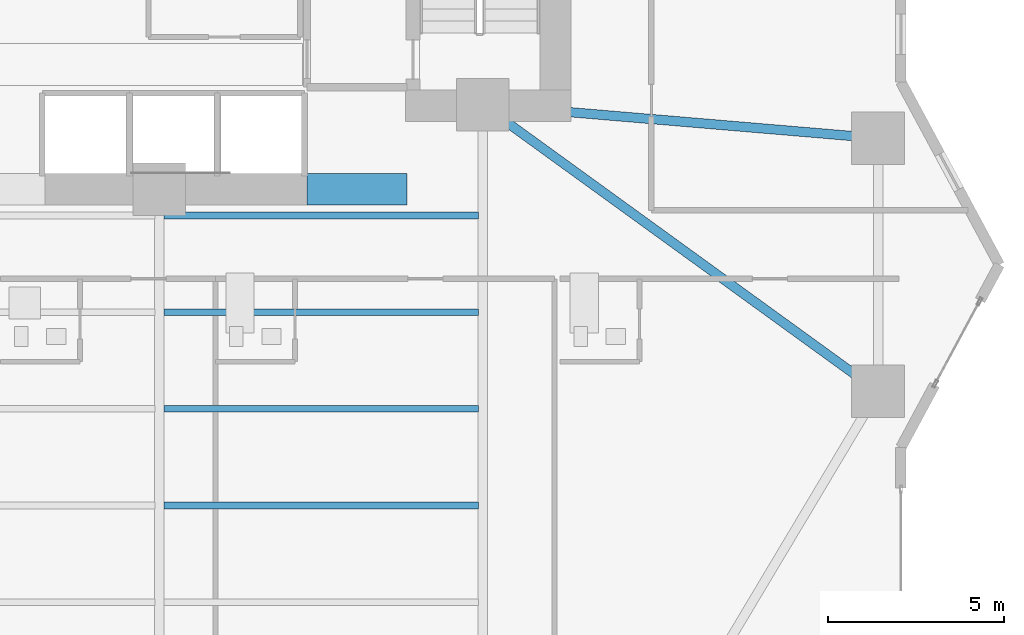
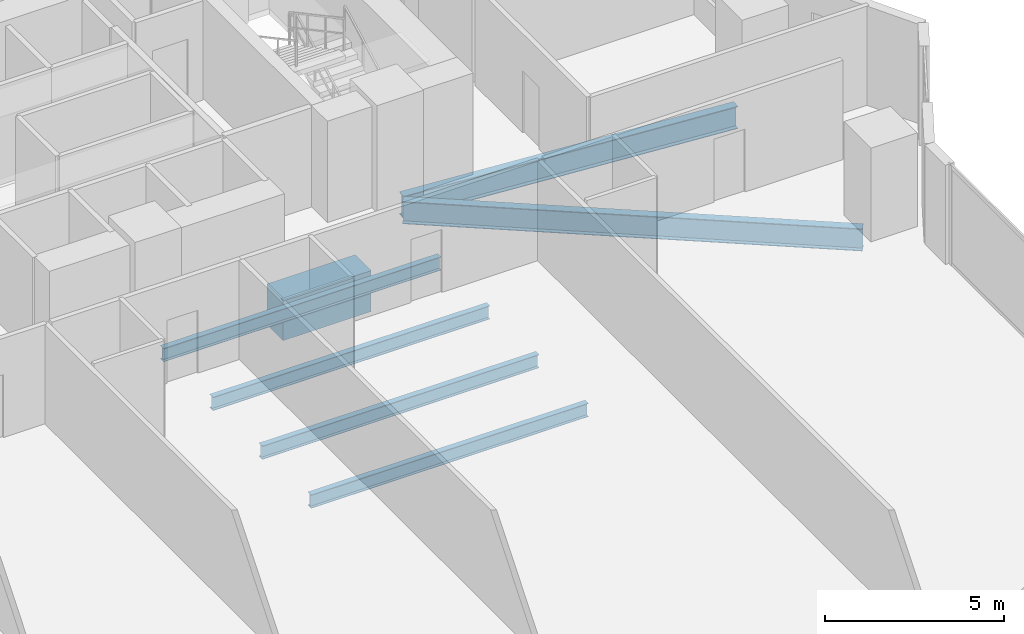
# One storey, part 11 of 30: 7 beams.
"""IFC4 building model written with IfcOpenShell, lengths in metres."""

from ifc_helpers import new_model, si_unit, direction, frame, origin, origin_2d, place, context, subcontext, project, spatial, rectangle, i_section, extrude, material, material_profile, profile_set, type_object, element, save


model = new_model("IFC4")

# Units and contexts
model_context = context("Model", 3, precision=1e-05, world=origin(), true_north=direction((0.0, 1.0)))
body_context = subcontext(model_context, "Body", "Model", "MODEL_VIEW")
ifc_project = project(units=[si_unit("LENGTHUNIT", "METRE"), si_unit("AREAUNIT", "SQUARE_METRE"), si_unit("VOLUMEUNIT", "CUBIC_METRE"), si_unit("PLANEANGLEUNIT", "RADIAN"), si_unit("MASSUNIT", "GRAM", prefix="KILO")], contexts=[model_context])

# Site, building, storey
site_placement = place(None, origin())
site = spatial("IfcSite", under=ifc_project, at=site_placement, CompositionType="ELEMENT")
building_placement = place(site_placement, origin())
building = spatial("IfcBuilding", under=site, at=building_placement, Name="Zuhayl Quay Hotel", CompositionType="ELEMENT")
storey_placement = place(building_placement, frame((0.0, 0.0, 86.0)))
storey = spatial("IfcBuildingStorey", under=building, at=storey_placement, Name="L21", CompositionType="ELEMENT", Elevation=86.0)

# Beams
ifc_material_1 = material(Name="Steel ASTM A992 Grade 50", Category="steel")
ifc_material_profile_1 = material_profile(ifc_material_1, i_section(OverallWidth=0.26708984375, OverallDepth=0.761962890625, WebThickness=0.014404296875, FlangeThickness=0.021484375, at=origin_2d()), Name="W30X116")
ifc_profile_set_1 = profile_set([ifc_material_profile_1], Name="Steel ASTM A992 Grade 50")
beam_type_1 = type_object("IfcBeamType", Name="BM_B1_W30X116", PredefinedType="BEAM", material=ifc_profile_set_1)
beam_1_placement = place(storey_placement, frame((14.164306640625, 4.285888671875, -0.60107421875), z_axis=(0.809830244688, -0.586664277751, 0.0), x_axis=(0.586664277751, 0.809830244688, 0.0)))
element("IfcBeam", 1, at=beam_1_placement, inside=storey, type_object=beam_type_1, Name="L21 Floor Beam FG_E_L21_1", PredefinedType="BEAM", context=body_context, shape_type="SweptSolid", body=[
    extrude(i_section(OverallWidth=0.26708984375, OverallDepth=0.761962890625, WebThickness=0.014404296875, FlangeThickness=0.021484375, at=origin_2d()), origin(), (0.0, 0.0, 1.0), 12.94189453125),
])
beam_2_placement = place(storey_placement, frame((14.248291015625, 4.51220703125, -0.60107421875), z_axis=(0.996453145398, -0.084149444594, 0.0), x_axis=(0.084149444594, 0.996453145398, 0.0)))
element("IfcBeam", 2, at=beam_2_placement, inside=storey, type_object=beam_type_1, Name="L21 Floor Beam FG_E_L21_2", PredefinedType="BEAM", context=body_context, shape_type="SweptSolid", body=[
    extrude(i_section(OverallWidth=0.26708984375, OverallDepth=0.761962890625, WebThickness=0.014404296875, FlangeThickness=0.021484375, at=origin_2d()), origin(), (0.0, 0.0, 1.0), 10.340087890625),
])
ifc_material_2 = material(Name="Concrete C60/75", Category="concrete")
ifc_material_profile_2 = material_profile(ifc_material_2, rectangle(XDim=0.89990234375, YDim=1.39990234375, at=origin_2d()), Name="RC900X1400")
ifc_profile_set_2 = profile_set([ifc_material_profile_2], Name="Concrete C60/75")
beam_type_2 = type_object("IfcBeamType", Name="BM_CB1_RC900", PredefinedType="T_BEAM", material=ifc_profile_set_2)
beam_3_placement = place(storey_placement, frame((8.800048828125, 2.14990234375, -0.919921875), z_axis=(1.0, 0.0, 0.0), x_axis=(0.0, 1.0, 0.0)))
element("IfcBeam", 3, at=beam_3_placement, inside=storey, type_object=beam_type_2, Name="L21 Core Coupling Beam SE", PredefinedType="T_BEAM", context=body_context, shape_type="SweptSolid", body=[
    extrude(rectangle(XDim=0.89990234375, YDim=1.39990234375, at=origin_2d()), origin(), (0.0, 0.0, 1.0), 2.849853515625),
])
ifc_material_profile_3 = material_profile(ifc_material_1, i_section(OverallWidth=0.18994140625, OverallDepth=0.45703125, WebThickness=0.009033203125, FlangeThickness=0.014404296875, at=origin_2d()), Name="W18X50")
ifc_profile_set_3 = profile_set([ifc_material_profile_3], Name="Steel ASTM A992 Grade 50")
beam_type_3 = type_object("IfcBeamType", Name="BM_J2_W18X50", PredefinedType="JOIST", material=ifc_profile_set_3)
for number, where, z_axis, x_axis, name in (
    (4, (4.7255859375, -6.85009765625, -0.448486328125), (1.0, 0.0, 0.0), (0.0, 1.0, 0.0), "L21 Floor Beam FJ_L21_7_3"),
    (5, (4.7255859375, -4.10009765625, -0.448486328125), (1.0, 0.0, 0.0), (0.0, 1.0, 0.0), "L21 Floor Beam FJ_L21_8_3"),
    (6, (4.7255859375, -1.35009765625, -0.448486328125), (1.0, 0.0, 0.0), (0.0, 1.0, 0.0), "L21 Floor Beam FJ_L21_9_3"),
    (7, (4.7255859375, 1.39990234375, -0.448486328125), (1.0, 0.0, 0.0), (0.0, 1.0, 0.0), "L21 Floor Beam FJ_L21_10_3"),
):
    element("IfcBeam", number, at=place(storey_placement, frame(where, z_axis=z_axis, x_axis=x_axis)), inside=storey, type_object=beam_type_3, Name=name, PredefinedType="JOIST", context=body_context, shape_type="SweptSolid", body=[
        extrude(i_section(OverallWidth=0.18994140625, OverallDepth=0.45703125, WebThickness=0.009033203125, FlangeThickness=0.014404296875, at=origin_2d()), origin(), (0.0, 0.0, 1.0), 8.948974609375),
    ])

save(model, "model.ifc")
